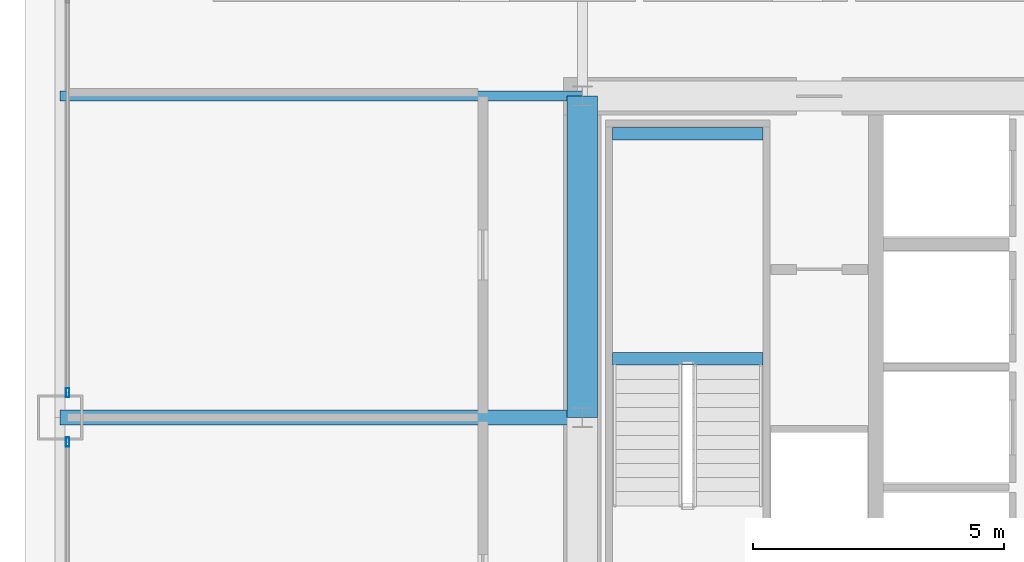
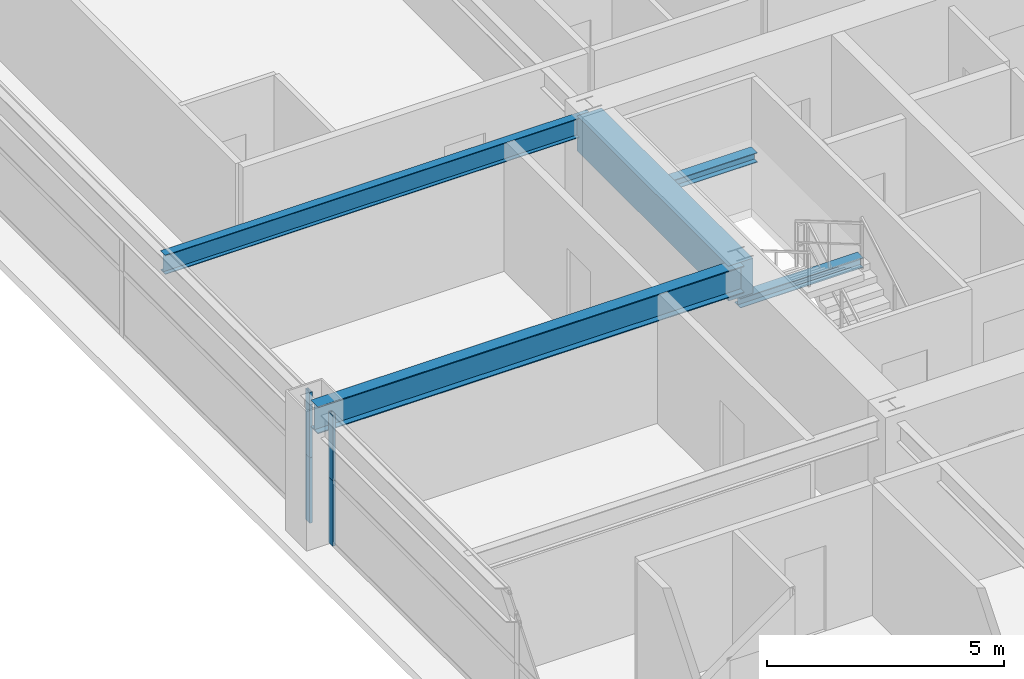
# One storey, part 13 of 41: 5 beams, 4 members, 2 elements without a shape of their own.
"""IFC4 building model written with IfcOpenShell, lengths in metres."""

from ifc_helpers import new_model, si_unit, direction, frame, origin, origin_2d, place, context, subcontext, project, spatial, rectangle, hollow_rectangle, i_section, extrude, source, transform, mapped, material, layer, layer_set, material_profile, profile_set, type_object, element, aggregate, save


model = new_model("IFC4")

# Units and contexts
model_context = context("Model", 3, precision=1e-05, world=origin(), true_north=direction((0.0, 1.0)))
body_context = subcontext(model_context, "Body", "Model", "MODEL_VIEW")
ifc_project = project(units=[si_unit("LENGTHUNIT", "METRE"), si_unit("AREAUNIT", "SQUARE_METRE"), si_unit("VOLUMEUNIT", "CUBIC_METRE"), si_unit("PLANEANGLEUNIT", "RADIAN"), si_unit("MASSUNIT", "GRAM", prefix="KILO"), si_unit("THERMODYNAMICTEMPERATUREUNIT", "KELVIN"), si_unit("POWERUNIT", "WATT")], contexts=[model_context])

# Site, building, storey
site_placement = place(None, origin())
site = spatial("IfcSite", under=ifc_project, at=site_placement, CompositionType="ELEMENT")
building_placement = place(site_placement, origin())
building = spatial("IfcBuilding", under=site, at=building_placement, Name="Yuzanri Waterfront Tower", CompositionType="ELEMENT")
storey_placement = place(building_placement, frame((0.0, 0.0, 152.39990234375)))
storey = spatial("IfcBuildingStorey", under=building, at=storey_placement, Name="L40", CompositionType="ELEMENT", Elevation=152.39990234375)

# Beams
ifc_material_1 = material(Name="Concrete C60", Category="concrete")
ifc_material_profile_1 = material_profile(ifc_material_1, rectangle(XDim=0.60009765625, YDim=0.89990234375, at=origin_2d()), Name="RC 600x900")
ifc_profile_set_1 = profile_set([ifc_material_profile_1], Name="Concrete C60")
beam_type_1 = type_object("IfcBeamType", Name="Core Coupling Lintel Concrete C60 600x900", PredefinedType="LINTEL", material=ifc_profile_set_1)
shared_shape_1 = source(origin(), body_context, "Body", "SweptSolid", [
    extrude(rectangle(XDim=0.60009765625, YDim=0.89990234375, at=origin_2d()), origin(), (0.0, 0.0, 1.0), 6.39990234375),
])
beam_1_placement = place(storey_placement, frame((23.800048828125, 25.800048828125, 2.93017578125), z_axis=(0.0, 1.0, 0.0), x_axis=(-1.0, 0.0, 0.0)))
element("IfcBeam", 1, at=beam_1_placement, inside=storey, type_object=beam_type_1, Name="L40 Core Tie Beam CW2", PredefinedType="LINTEL", context=body_context, shape_type="MappedRepresentation", body=[
    mapped(shared_shape_1, transform((0.0, 0.0, 0.0), scale=1.0)),
])
ifc_material_2 = material(Name="Steel Q355B", Category="steel")
ifc_material_profile_2 = material_profile(ifc_material_2, i_section(OverallWidth=0.300048828125, OverallDepth=0.699951171875, WebThickness=0.012939453125, FlangeThickness=0.02392578125, at=origin_2d()), Name="HN 700x300x13x24")
ifc_profile_set_2 = profile_set([ifc_material_profile_2], Name="Steel Q355B")
beam_type_2 = type_object("IfcBeamType", Name="Primary Floor Girder Q355B HN 700x300", PredefinedType="BEAM", material=ifc_profile_set_2)
shared_shape_2 = source(origin(), body_context, "Body", "SweptSolid", [
    extrude(i_section(OverallWidth=0.300048828125, OverallDepth=0.699951171875, WebThickness=0.012939453125, FlangeThickness=0.02392578125, at=origin_2d()), origin(), (0.0, 0.0, 1.0), 10.400146484375),
])
beam_2_placement = place(storey_placement, frame((23.800048828125, 25.800048828125, 3.030029296875), z_axis=(-1.0, 0.0, 0.0), x_axis=(0.0, -1.0, 0.0)))
element("IfcBeam", 2, at=beam_2_placement, inside=storey, type_object=beam_type_2, Name="L40 West Grid Girder", PredefinedType="BEAM", context=body_context, shape_type="MappedRepresentation", body=[
    mapped(shared_shape_2, transform((0.0, 0.0, 0.0), scale=1.0)),
])
ifc_material_3 = material(Name="Steel Q355B", Category="steel")
ifc_material_profile_3 = material_profile(ifc_material_3, i_section(OverallWidth=0.199951171875, OverallDepth=0.5, WebThickness=0.010009765625, FlangeThickness=0.01611328125, at=origin_2d()), Name="HN 500x200x10x16")
ifc_profile_set_3 = profile_set([ifc_material_profile_3], Name="Steel Q355B")
beam_type_3 = type_object("IfcBeamType", Name="Secondary Floor Beam Q355B HN 500x200", PredefinedType="BEAM", material=ifc_profile_set_3)
shared_shape_3 = source(origin(), body_context, "Body", "SweptSolid", [
    extrude(i_section(OverallWidth=0.199951171875, OverallDepth=0.5, WebThickness=0.010009765625, FlangeThickness=0.01611328125, at=origin_2d()), origin(), (0.0, 0.0, 1.0), 10.400146484375),
])
beam_3_placement = place(storey_placement, frame((23.800048828125, 32.199951171875, 3.130126953125), z_axis=(-1.0, 0.0, 0.0), x_axis=(0.0, -1.0, 0.0)))
element("IfcBeam", 3, at=beam_3_placement, inside=storey, type_object=beam_type_3, Name="L40 West-North Core Line Beam", PredefinedType="BEAM", context=body_context, shape_type="MappedRepresentation", body=[
    mapped(shared_shape_3, transform((0.0, 0.0, 0.0), scale=1.0)),
])

# Curtain wall, members
ifc_material_4 = material(Name="Anodized Architectural Bronze", Category="metal")
ifc_layer = layer(ifc_material_4, 0.159912109375)
ifc_layer_set = layer_set([ifc_layer], Name="Anodized Architectural Bronze")
curtain_wall_type = type_object("IfcCurtainWallType", Name="Anodized Bronze Hotel Upper-Tier Solar-Control Unitized Curtain Wall 7800", PredefinedType="NOTDEFINED", material=ifc_layer_set)
curtain_wall_1_placement = place(storey_placement, origin())
curtain_wall_1 = element("IfcCurtainWall", 4, at=curtain_wall_1_placement, inside=storey, type_object=curtain_wall_type, Name="L40 Curtain Wall CW-L40-WL", PredefinedType="NOTDEFINED")
ifc_material_5 = material(Name="Anodized Architectural Bronze", Category="metal")
ifc_material_profile_4 = material_profile(ifc_material_5, hollow_rectangle(XDim=0.070068359375, YDim=0.179931640625, WallThickness=0.00390625, at=origin_2d()), Name="CWM 70x180")
ifc_profile_set_4 = profile_set([ifc_material_profile_4], Name="Anodized Architectural Bronze")
member_type = type_object("IfcMemberType", Name="Anodized Bronze Standard Curtain-Wall Mullion 70x180", PredefinedType="MULLION", material=ifc_profile_set_4)
shared_shape_4 = source(origin(), body_context, "Body", "SweptSolid", [
    extrude(hollow_rectangle(XDim=0.070068359375, YDim=0.179931640625, WallThickness=0.00390625, at=origin_2d()), origin(), (0.0, 0.0, 1.0), 1.68798828125),
])
member_1_placement = place(storey_placement, frame((13.550048828125, 25.31005859375, 0.0), z_axis=(0.0, 0.0, 1.0), x_axis=(1.0, 0.0, 0.0)))
member_1 = element("IfcMember", 5, at=member_1_placement, type_object=member_type, Name="CW-L40-WL Lower Mullion 02", PredefinedType="MULLION", context=body_context, shape_type="MappedRepresentation", body=[
    mapped(shared_shape_4, transform((0.0, 0.0, 0.0), scale=1.0)),
])
member_2_placement = place(storey_placement, frame((13.550048828125, 25.31005859375, 1.692138671875), z_axis=(0.0, 0.0, 1.0), x_axis=(1.0, 0.0, 0.0)))
member_2 = element("IfcMember", 6, at=member_2_placement, type_object=member_type, Name="CW-L40-WL Upper Mullion 02", PredefinedType="MULLION", context=body_context, shape_type="MappedRepresentation", body=[
    mapped(shared_shape_4, transform((0.0, 0.0, 0.0), scale=1.0)),
])
aggregate(curtain_wall_1, [member_1, member_2])

curtain_wall_2_placement = place(storey_placement, origin())
curtain_wall_2 = element("IfcCurtainWall", 7, at=curtain_wall_2_placement, inside=storey, type_object=curtain_wall_type, Name="L40 Curtain Wall CW-L40-WR", PredefinedType="NOTDEFINED")
member_3_placement = place(storey_placement, frame((13.550048828125, 26.2900390625, 0.0), z_axis=(0.0, 0.0, 1.0), x_axis=(1.0, 0.0, 0.0)))
member_3 = element("IfcMember", 8, at=member_3_placement, type_object=member_type, Name="CW-L40-WR Lower Mullion 00", PredefinedType="MULLION", context=body_context, shape_type="MappedRepresentation", body=[
    mapped(shared_shape_4, transform((0.0, 0.0, 0.0), scale=1.0)),
])
member_4_placement = place(storey_placement, frame((13.550048828125, 26.2900390625, 1.692138671875), z_axis=(0.0, 0.0, 1.0), x_axis=(1.0, 0.0, 0.0)))
member_4 = element("IfcMember", 9, at=member_4_placement, type_object=member_type, Name="CW-L40-WR Upper Mullion 00", PredefinedType="MULLION", context=body_context, shape_type="MappedRepresentation", body=[
    mapped(shared_shape_4, transform((0.0, 0.0, 0.0), scale=1.0)),
])
aggregate(curtain_wall_2, [member_3, member_4])

# Beams
ifc_material_6 = material(Name="Steel Q355B", Category="steel")
ifc_material_profile_5 = material_profile(ifc_material_6, i_section(OverallWidth=0.25, OverallDepth=0.25, WebThickness=0.009033203125, FlangeThickness=0.013916015625, at=origin_2d()), Name="HW 250x250x9x14")
ifc_profile_set_5 = profile_set([ifc_material_profile_5], Name="Steel Q355B")
beam_type_4 = type_object("IfcBeamType", Name="Stair Landing Support Beam Q355B HW 250x250", PredefinedType="BEAM", material=ifc_profile_set_5)
shared_shape_5 = source(origin(), body_context, "Body", "SweptSolid", [
    extrude(i_section(OverallWidth=0.25, OverallDepth=0.25, WebThickness=0.009033203125, FlangeThickness=0.013916015625, at=origin_2d()), origin(), (0.0, 0.0, 1.0), 3.0),
])
for number, where, z_axis, x_axis, name in (
    (10, (24.39990234375, 26.969970703125, 1.47509765625), (1.0, 0.0, 0.0), (0.0, 1.0, 0.0), "L40 Stair Landing Support Beam ST-01-L40-L1-1"),
    (11, (24.39990234375, 31.449951171875, 1.47509765625), (1.0, 0.0, 0.0), (0.0, 1.0, 0.0), "L40 Stair Landing Support Beam ST-01-L40-L1-2"),
):
    element("IfcBeam", number, at=place(storey_placement, frame(where, z_axis=z_axis, x_axis=x_axis)), inside=storey, type_object=beam_type_4, Name=name, PredefinedType="BEAM", context=body_context, shape_type="MappedRepresentation", body=[
        mapped(shared_shape_5, transform((0.0, 0.0, 0.0), scale=1.0)),
    ])

save(model, "model.ifc")
